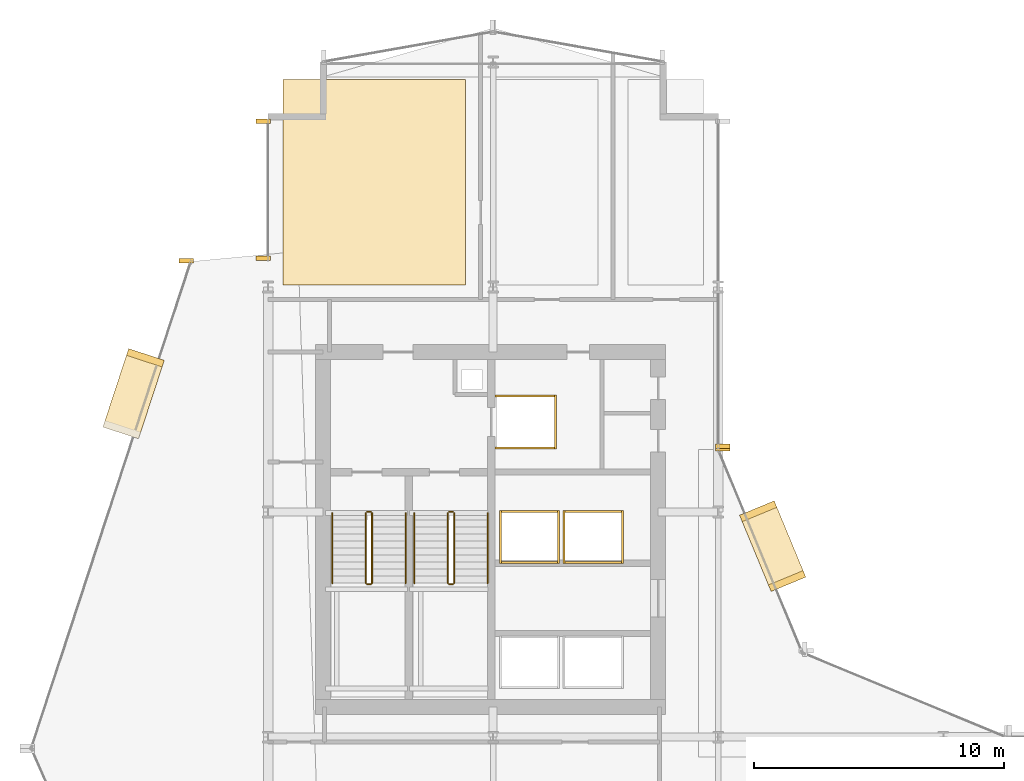
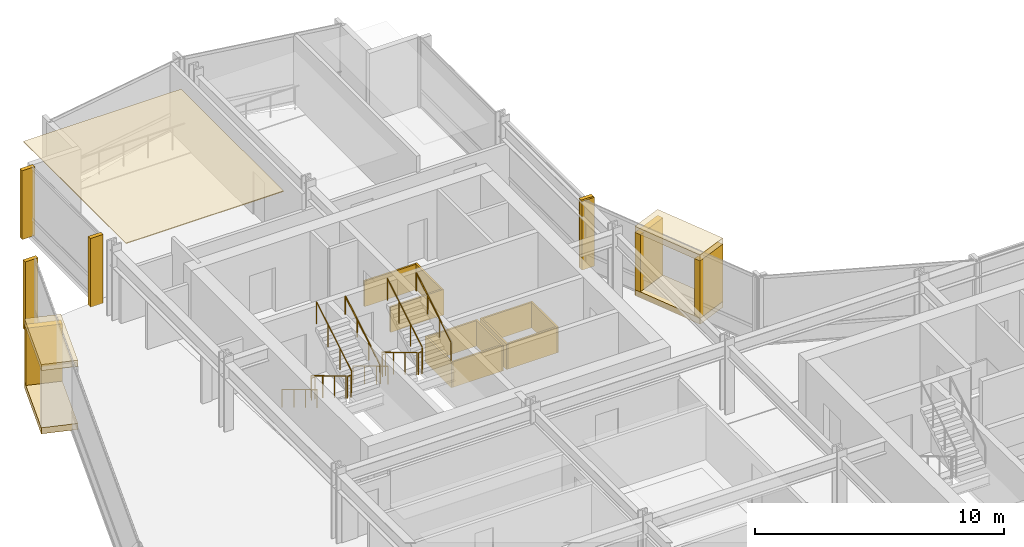
# One storey, part 33 of 34: 24 coverings, 12 railings.
"""IFC4 building model written with IfcOpenShell, lengths in metres."""

from ifc_helpers import new_model, si_unit, direction, frame, origin, origin_2d, place, context, subcontext, project, spatial, polyline, rectangle, circle, outline, extrude, material, layer, layer_set, type_object, element, save


model = new_model("IFC4")

# Units and contexts
model_context = context("Model", 3, precision=1e-05, world=origin(), true_north=direction((0.0, 1.0)))
body_context = subcontext(model_context, "Body", "Model", "MODEL_VIEW")
ifc_project = project(units=[si_unit("LENGTHUNIT", "METRE"), si_unit("AREAUNIT", "SQUARE_METRE"), si_unit("VOLUMEUNIT", "CUBIC_METRE"), si_unit("PLANEANGLEUNIT", "RADIAN"), si_unit("MASSUNIT", "GRAM", prefix="KILO")], contexts=[model_context])

# Site, building, storey
site_placement = place(None, origin())
site = spatial("IfcSite", under=ifc_project, at=site_placement, CompositionType="ELEMENT")
building_placement = place(site_placement, origin())
building = spatial("IfcBuilding", under=site, at=building_placement, Name="Solvaryn Broadcast Tower", CompositionType="ELEMENT")
storey_placement = place(building_placement, frame((0.0, 0.0, 96.5)))
storey = spatial("IfcBuildingStorey", under=building, at=storey_placement, Name="L23", CompositionType="ELEMENT", Elevation=96.5)

# Coverings
ifc_material_1 = material(Name="Micro-Perforated Acoustic Gypsum Ceiling", Category="concrete")
ifc_layer_1 = layer(ifc_material_1, 0.0400390625)
ifc_layer_set_1 = layer_set([ifc_layer_1], Name="CV-CEIL-ACOUSTIC")
covering_type_1 = type_object("IfcCoveringType", Name="CV-CEIL-ACOUSTIC", PredefinedType="CEILING", material=ifc_layer_set_1)
covering_1_placement = place(storey_placement, frame((0.0, 0.0, 3.330078125)))
element("IfcCovering", 1, at=covering_1_placement, inside=storey, type_object=covering_type_1, Name="L23 Room Acoustic Ceiling 7", PredefinedType="CEILING", context=body_context, shape_type="SweptSolid", body=[
    extrude(outline(polyline([(9.60009765625, 45.070068359375), (16.89990234375, 45.070068359375), (16.89990234375, 53.300048828125), (9.60009765625, 53.300048828125), (9.60009765625, 45.070068359375)])), origin(), (0.0, 0.0, 1.0), 0.0400390625),
])
ifc_material_2 = material(Name="Fire-Rated Gypsum Shaftwall Liner", Category="concrete")
ifc_layer_2 = layer(ifc_material_2, 0.080078125)
ifc_layer_set_2 = layer_set([ifc_layer_2], Name="CV-SHAFT-LINER")
covering_type_2 = type_object("IfcCoveringType", Name="CV-SHAFT-LINER", PredefinedType="CLADDING", material=ifc_layer_set_2)
for number, where, z_axis, x_axis, name in (
    (2, (19.300048828125, 40.639892578125, 0.0), (0.0, 0.0, 1.0), (1.0, 0.0, 0.0), "L23 FL1 Hoistway Shaft Liner North"),
    (3, (19.300048828125, 38.56005859375, 0.0), (0.0, 0.0, 1.0), (1.0, 0.0, 0.0), "L23 FL1 Hoistway Shaft Liner South"),
):
    element("IfcCovering", number, at=place(storey_placement, frame(where, z_axis=z_axis, x_axis=x_axis)), inside=storey, type_object=covering_type_2, Name=name, PredefinedType="CLADDING", context=body_context, shape_type="SweptSolid", body=[
        extrude(rectangle(XDim=2.4599609375, YDim=0.080078125, at=origin_2d()), origin(), (0.0, 0.0, 1.0), 1.25),
    ])
covering_2_placement = place(storey_placement, frame((20.489990234375, 39.60009765625, 0.0), z_axis=(0.0, 0.0, 1.0), x_axis=(1.0, 0.0, 0.0)))
element("IfcCovering", 4, at=covering_2_placement, inside=storey, type_object=covering_type_2, Name="L23 FL1 Hoistway Shaft Liner East", PredefinedType="CLADDING", context=body_context, shape_type="SweptSolid", body=[
    extrude(rectangle(XDim=0.080078125, YDim=2.159912109375, at=origin_2d()), origin(), (0.0, 0.0, 1.0), 1.25),
])
for number, where, z_axis, x_axis, name in (
    (5, (19.449951171875, 36.014892578125, 0.0), (0.0, 0.0, 1.0), (1.0, 0.0, 0.0), "L23 PH3 Hoistway Shaft Liner North"),
    (6, (19.449951171875, 33.985107421875, 0.0), (0.0, 0.0, 1.0), (1.0, 0.0, 0.0), "L23 PH3 Hoistway Shaft Liner South"),
):
    element("IfcCovering", number, at=place(storey_placement, frame(where, z_axis=z_axis, x_axis=x_axis)), inside=storey, type_object=covering_type_2, Name=name, PredefinedType="CLADDING", context=body_context, shape_type="SweptSolid", body=[
        extrude(rectangle(XDim=2.409912109375, YDim=0.080078125, at=origin_2d()), origin(), (0.0, 0.0, 1.0), 1.25),
    ])
for number, where, z_axis, x_axis, name in (
    (7, (20.614990234375, 35.0, 0.0), (0.0, 0.0, 1.0), (1.0, 0.0, 0.0), "L23 PH3 Hoistway Shaft Liner East"),
    (8, (18.284912109375, 35.0, 0.0), (0.0, 0.0, 1.0), (1.0, 0.0, 0.0), "L23 PH3 Hoistway Shaft Liner West"),
):
    element("IfcCovering", number, at=place(storey_placement, frame(where, z_axis=z_axis, x_axis=x_axis)), inside=storey, type_object=covering_type_2, Name=name, PredefinedType="CLADDING", context=body_context, shape_type="SweptSolid", body=[
        extrude(rectangle(XDim=0.080078125, YDim=2.110107421875, at=origin_2d()), origin(), (0.0, 0.0, 1.0), 1.25),
    ])
for number, where, z_axis, x_axis, name in (
    (9, (22.0, 36.014892578125, 0.0), (0.0, 0.0, 1.0), (1.0, 0.0, 0.0), "L23 PH4 Hoistway Shaft Liner North"),
    (10, (22.0, 33.985107421875, 0.0), (0.0, 0.0, 1.0), (1.0, 0.0, 0.0), "L23 PH4 Hoistway Shaft Liner South"),
):
    element("IfcCovering", number, at=place(storey_placement, frame(where, z_axis=z_axis, x_axis=x_axis)), inside=storey, type_object=covering_type_2, Name=name, PredefinedType="CLADDING", context=body_context, shape_type="SweptSolid", body=[
        extrude(rectangle(XDim=2.409912109375, YDim=0.080078125, at=origin_2d()), origin(), (0.0, 0.0, 1.0), 1.25),
    ])
for number, where, z_axis, x_axis, name in (
    (11, (23.1650390625, 35.0, 0.0), (0.0, 0.0, 1.0), (1.0, 0.0, 0.0), "L23 PH4 Hoistway Shaft Liner East"),
    (12, (20.8349609375, 35.0, 0.0), (0.0, 0.0, 1.0), (1.0, 0.0, 0.0), "L23 PH4 Hoistway Shaft Liner West"),
):
    element("IfcCovering", number, at=place(storey_placement, frame(where, z_axis=z_axis, x_axis=x_axis)), inside=storey, type_object=covering_type_2, Name=name, PredefinedType="CLADDING", context=body_context, shape_type="SweptSolid", body=[
        extrude(rectangle(XDim=0.080078125, YDim=2.110107421875, at=origin_2d()), origin(), (0.0, 0.0, 1.0), 1.25),
    ])
ifc_material_3 = material(Name="Glazed Architectural Terracotta Rainscreen Cladding", Category="masonry")
ifc_layer_3 = layer(ifc_material_3, 0.280029296875)
ifc_layer_set_3 = layer_set([ifc_layer_3], Name="CV-TC-CLAD")
covering_type_3 = type_object("IfcCoveringType", Name="CV-TC-CLAD", PredefinedType="CLADDING", material=ifc_layer_set_3)
for number, where, z_axis, x_axis, name in (
    (13, (3.6259765625, 40.73291015625, 3.080078125), (0.0, 0.0, 1.0), (-0.311671636848, -0.950189870912, 0.0), "L23 Projecting Stone Window Box Hood 1"),
    (14, (3.6259765625, 40.73291015625, -0.01025390625), (0.0, 0.0, 1.0), (-0.311671636848, -0.950189870912, 0.0), "L23 Projecting Stone Window Box Sill 1"),
):
    element("IfcCovering", number, at=place(storey_placement, frame(where, z_axis=z_axis, x_axis=x_axis)), inside=storey, type_object=covering_type_3, Name=name, PredefinedType="CLADDING", context=body_context, shape_type="SweptSolid", body=[
        extrude(rectangle(XDim=3.300048828125, YDim=1.5, at=origin_2d()), origin(), (0.0, 0.0, 1.0), 0.300048828125),
    ])
covering_3_placement = place(storey_placement, frame((4.0966796875, 42.167724609375, 0.280029296875), z_axis=(0.0, 0.0, 1.0), x_axis=(-0.311671636848, -0.950189870912, 0.0)))
element("IfcCovering", 15, at=covering_3_placement, inside=storey, type_object=covering_type_3, Name="L23 Projecting Stone Window Box Cheek 1-1", PredefinedType="CLADDING", context=body_context, shape_type="SweptSolid", body=[
    extrude(rectangle(XDim=0.280029296875, YDim=1.5, at=origin_2d()), origin(), (0.0, 0.0, 1.0), 2.81005859375),
])
for number, where, z_axis, x_axis, name in (
    (16, (29.174072265625, 34.636962890625, 3.080078125), (0.0, 0.0, 1.0), (-0.382683432365, 0.923879532511, 0.0), "L23 Projecting Stone Window Box Hood 5"),
    (17, (29.174072265625, 34.636962890625, -0.01025390625), (0.0, 0.0, 1.0), (-0.382683432365, 0.923879532511, 0.0), "L23 Projecting Stone Window Box Sill 5"),
):
    element("IfcCovering", number, at=place(storey_placement, frame(where, z_axis=z_axis, x_axis=x_axis)), inside=storey, type_object=covering_type_3, Name=name, PredefinedType="CLADDING", context=body_context, shape_type="SweptSolid", body=[
        extrude(rectangle(XDim=3.300048828125, YDim=1.5, at=origin_2d()), origin(), (0.0, 0.0, 1.0), 0.300048828125),
    ])
for number, where, z_axis, x_axis, name in (
    (18, (29.751953125, 33.241943359375, 0.280029296875), (0.0, 0.0, 1.0), (-0.382683432365, 0.923879532511, 0.0), "L23 Projecting Stone Window Box Cheek 5-1"),
    (19, (28.59619140625, 36.031982421875, 0.280029296875), (0.0, 0.0, 1.0), (-0.382683432365, 0.923879532511, 0.0), "L23 Projecting Stone Window Box Cheek 5-2"),
):
    element("IfcCovering", number, at=place(storey_placement, frame(where, z_axis=z_axis, x_axis=x_axis)), inside=storey, type_object=covering_type_3, Name=name, PredefinedType="CLADDING", context=body_context, shape_type="SweptSolid", body=[
        extrude(rectangle(XDim=0.280029296875, YDim=1.5, at=origin_2d()), origin(), (0.0, 0.0, 1.0), 2.81005859375),
    ])
ifc_material_4 = material(Name="Extruded Architectural Terracotta Fin", Category="masonry")
ifc_layer_4 = layer(ifc_material_4, 0.179931640625)
ifc_layer_set_4 = layer_set([ifc_layer_4], Name="CV-TC-FIN")
covering_type_4 = type_object("IfcCoveringType", Name="CV-TC-FIN", PredefinedType="USERDEFINED", material=ifc_layer_set_4)
for number, where, z_axis, x_axis, name in (
    (20, (5.735595703125, 46.043701171875, 0.0), (0.0, 0.0, 1.0), (1.0, 0.0, 0.0), "L23 Terracotta Vertical Fin FIN-L23-DR1-M00"),
    (21, (8.8125, 46.14599609375, 0.0), (0.0, 0.0, 1.0), (1.0, 0.0, 0.0), "L23 Terracotta Vertical Fin FIN-L23-W2-M00"),
    (22, (8.8125, 51.6201171875, 0.0), (0.0, 0.0, 1.0), (1.0, 0.0, 0.0), "L23 Terracotta Vertical Fin FIN-L23-W2-M01"),
    (23, (27.1875, 38.6298828125, 0.0), (0.0, 0.0, 1.0), (1.0, 0.0, 0.0), "L23 Terracotta Vertical Fin FIN-L23-IV-M01"),
    (24, (27.177978515625, 38.541259765625, 0.0), (0.0, 0.0, 1.0), (1.0, 0.0, 0.0), "L23 Terracotta Vertical Fin FIN-L23-CN2-M01"),
):
    element("IfcCovering", number, at=place(storey_placement, frame(where, z_axis=z_axis, x_axis=x_axis)), inside=storey, type_object=covering_type_4, Name=name, ObjectType="FIN", PredefinedType="USERDEFINED", context=body_context, shape_type="SweptSolid", body=[
        extrude(rectangle(XDim=0.580078125, YDim=0.179931640625, at=origin_2d()), origin(), (0.0, 0.0, 1.0), 3.3701171875),
    ])

# Railings
ifc_material_5 = material(Name="Painted Steel Stair Well Guard", Category="steel")
railing_type_1 = type_object("IfcRailingType", Name="RL-STAIR-GUARD", PredefinedType="BALUSTRADE", material=ifc_material_5)
railing_1_placement = place(storey_placement, frame((12.909912109375, 35.9599609375, 0.168212890625)))
element("IfcRailing", 25, at=railing_1_placement, inside=storey, type_object=railing_type_1, Name="L23 ST1 stair guard 1", PredefinedType="BALUSTRADE", context=body_context, shape_type="SweptSolid", body=[
    extrude(circle(Radius=0.02392578125, at=origin_2d()), frame((0.0, 0.0, 1.076171875), z_axis=(0.0, -0.857242210791, 0.514913383045), x_axis=(1.0, 0.0, 0.0)), (0.0, 0.0, 1.0), 3.266357421875),
    extrude(circle(Radius=0.02099609375, at=origin_2d()), origin(), (0.0, 0.0, 1.0), 1.052001953125),
    extrude(circle(Radius=0.02099609375, at=origin_2d()), frame((0.0, -0.933349609375, 0.560546875)), (0.0, 0.0, 1.0), 1.052001953125),
    extrude(circle(Radius=0.02099609375, at=origin_2d()), frame((0.0, -1.86669921875, 1.121337890625)), (0.0, 0.0, 1.0), 1.052001953125),
    extrude(circle(Radius=0.02099609375, at=origin_2d()), frame((0.0, -2.800048828125, 1.681884765625)), (0.0, 0.0, 1.0), 1.052001953125),
])
railing_2_placement = place(storey_placement, frame((12.9599609375, 33.110107421875, 1.85009765625)))
element("IfcRailing", 26, at=railing_2_placement, inside=storey, type_object=railing_type_1, Name="L23 ST1 stair guard 2", PredefinedType="BALUSTRADE", context=body_context, shape_type="SweptSolid", body=[
    extrude(circle(Radius=0.02392578125, at=origin_2d()), frame((0.0, 0.0, 1.076171875), z_axis=(1.0, 0.0, 0.0), x_axis=(0.0, 1.0, 0.0)), (0.0, 0.0, 1.0), 0.150146484375),
    extrude(circle(Radius=0.02099609375, at=origin_2d()), origin(), (0.0, 0.0, 1.0), 1.052001953125),
    extrude(circle(Radius=0.02099609375, at=origin_2d()), frame((0.150146484375, 0.0, 0.0)), (0.0, 0.0, 1.0), 1.052001953125),
])
railing_3_placement = place(storey_placement, frame((13.159912109375, 33.159912109375, 2.01806640625)))
element("IfcRailing", 27, at=railing_3_placement, inside=storey, type_object=railing_type_1, Name="L23 ST1 stair guard 3", PredefinedType="BALUSTRADE", context=body_context, shape_type="SweptSolid", body=[
    extrude(circle(Radius=0.02392578125, at=origin_2d()), frame((0.0, 0.0, 1.076171875), z_axis=(0.0, 0.857242210791, 0.514913383045), x_axis=(-1.0, 0.0, 0.0)), (0.0, 0.0, 1.0), 3.266357421875),
    extrude(circle(Radius=0.02099609375, at=origin_2d()), origin(), (0.0, 0.0, 1.0), 1.052001953125),
    extrude(circle(Radius=0.02099609375, at=origin_2d()), frame((0.0, 0.933349609375, 0.560546875)), (0.0, 0.0, 1.0), 1.052001953125),
    extrude(circle(Radius=0.02099609375, at=origin_2d()), frame((0.0, 1.86669921875, 1.121337890625)), (0.0, 0.0, 1.0), 1.052001953125),
    extrude(circle(Radius=0.02099609375, at=origin_2d()), frame((0.0, 2.800048828125, 1.681884765625)), (0.0, 0.0, 1.0), 1.052001953125),
])
railing_4_placement = place(storey_placement, frame((12.9599609375, 36.010009765625, 0.0)))
element("IfcRailing", 28, at=railing_4_placement, inside=storey, type_object=railing_type_1, Name="L23 ST1 stair guard 4", PredefinedType="BALUSTRADE", context=body_context, shape_type="SweptSolid", body=[
    extrude(circle(Radius=0.02392578125, at=origin_2d()), frame((0.0, 0.0, 1.076171875), z_axis=(1.0, 0.0, 0.0), x_axis=(0.0, 1.0, 0.0)), (0.0, 0.0, 1.0), 0.150146484375),
    extrude(circle(Radius=0.02099609375, at=origin_2d()), origin(), (0.0, 0.0, 1.0), 1.052001953125),
    extrude(circle(Radius=0.02099609375, at=origin_2d()), frame((0.150146484375, 0.0, 0.0)), (0.0, 0.0, 1.0), 1.052001953125),
])
railing_5_placement = place(storey_placement, frame((16.18994140625, 35.9599609375, 0.168212890625)))
element("IfcRailing", 29, at=railing_5_placement, inside=storey, type_object=railing_type_1, Name="L23 ST2 stair guard 1", PredefinedType="BALUSTRADE", context=body_context, shape_type="SweptSolid", body=[
    extrude(circle(Radius=0.02392578125, at=origin_2d()), frame((0.0, 0.0, 1.076171875), z_axis=(0.0, -0.857242210791, 0.514913383045), x_axis=(1.0, 0.0, 0.0)), (0.0, 0.0, 1.0), 3.266357421875),
    extrude(circle(Radius=0.02099609375, at=origin_2d()), origin(), (0.0, 0.0, 1.0), 1.052001953125),
    extrude(circle(Radius=0.02099609375, at=origin_2d()), frame((0.0, -0.933349609375, 0.560546875)), (0.0, 0.0, 1.0), 1.052001953125),
    extrude(circle(Radius=0.02099609375, at=origin_2d()), frame((0.0, -1.86669921875, 1.121337890625)), (0.0, 0.0, 1.0), 1.052001953125),
    extrude(circle(Radius=0.02099609375, at=origin_2d()), frame((0.0, -2.800048828125, 1.681884765625)), (0.0, 0.0, 1.0), 1.052001953125),
])
railing_6_placement = place(storey_placement, frame((16.239990234375, 33.110107421875, 1.85009765625)))
element("IfcRailing", 30, at=railing_6_placement, inside=storey, type_object=railing_type_1, Name="L23 ST2 stair guard 2", PredefinedType="BALUSTRADE", context=body_context, shape_type="SweptSolid", body=[
    extrude(circle(Radius=0.02392578125, at=origin_2d()), frame((0.0, 0.0, 1.076171875), z_axis=(1.0, 0.0, 0.0), x_axis=(0.0, 1.0, 0.0)), (0.0, 0.0, 1.0), 0.14990234375),
    extrude(circle(Radius=0.02099609375, at=origin_2d()), origin(), (0.0, 0.0, 1.0), 1.052001953125),
    extrude(circle(Radius=0.02099609375, at=origin_2d()), frame((0.14990234375, 0.0, 0.0)), (0.0, 0.0, 1.0), 1.052001953125),
])
railing_7_placement = place(storey_placement, frame((16.43994140625, 33.159912109375, 2.01806640625)))
element("IfcRailing", 31, at=railing_7_placement, inside=storey, type_object=railing_type_1, Name="L23 ST2 stair guard 3", PredefinedType="BALUSTRADE", context=body_context, shape_type="SweptSolid", body=[
    extrude(circle(Radius=0.02392578125, at=origin_2d()), frame((0.0, 0.0, 1.076171875), z_axis=(0.0, 0.857242210791, 0.514913383045), x_axis=(-1.0, 0.0, 0.0)), (0.0, 0.0, 1.0), 3.266357421875),
    extrude(circle(Radius=0.02099609375, at=origin_2d()), origin(), (0.0, 0.0, 1.0), 1.052001953125),
    extrude(circle(Radius=0.02099609375, at=origin_2d()), frame((0.0, 0.933349609375, 0.560546875)), (0.0, 0.0, 1.0), 1.052001953125),
    extrude(circle(Radius=0.02099609375, at=origin_2d()), frame((0.0, 1.86669921875, 1.121337890625)), (0.0, 0.0, 1.0), 1.052001953125),
    extrude(circle(Radius=0.02099609375, at=origin_2d()), frame((0.0, 2.800048828125, 1.681884765625)), (0.0, 0.0, 1.0), 1.052001953125),
])
railing_8_placement = place(storey_placement, frame((16.239990234375, 36.010009765625, 0.0)))
element("IfcRailing", 32, at=railing_8_placement, inside=storey, type_object=railing_type_1, Name="L23 ST2 stair guard 4", PredefinedType="BALUSTRADE", context=body_context, shape_type="SweptSolid", body=[
    extrude(circle(Radius=0.02392578125, at=origin_2d()), frame((0.0, 0.0, 1.076171875), z_axis=(1.0, 0.0, 0.0), x_axis=(0.0, 1.0, 0.0)), (0.0, 0.0, 1.0), 0.14990234375),
    extrude(circle(Radius=0.02099609375, at=origin_2d()), origin(), (0.0, 0.0, 1.0), 1.052001953125),
    extrude(circle(Radius=0.02099609375, at=origin_2d()), frame((0.14990234375, 0.0, 0.0)), (0.0, 0.0, 1.0), 1.052001953125),
])
ifc_material_6 = material(Name="Brushed Stainless Steel Tubular Handrail", Category="steel")
railing_type_2 = type_object("IfcRailingType", Name="RL-STAIR-HANDRAIL", PredefinedType="HANDRAIL", material=ifc_material_6)
railing_9_placement = place(storey_placement, frame((11.570068359375, 35.9599609375, 0.168212890625)))
element("IfcRailing", 33, at=railing_9_placement, inside=storey, type_object=railing_type_2, Name="L23 ST1 stair handrail 1", PredefinedType="HANDRAIL", context=body_context, shape_type="SweptSolid", body=[
    extrude(circle(Radius=0.02392578125, at=origin_2d()), frame((0.0, 0.0, 0.8759765625), z_axis=(0.0, -0.857242210791, 0.514913383045), x_axis=(1.0, 0.0, 0.0)), (0.0, 0.0, 1.0), 3.266357421875),
    extrude(circle(Radius=0.02099609375, at=origin_2d()), origin(), (0.0, 0.0, 1.0), 0.851806640625),
    extrude(circle(Radius=0.02099609375, at=origin_2d()), frame((0.0, -0.933349609375, 0.560546875)), (0.0, 0.0, 1.0), 0.851806640625),
    extrude(circle(Radius=0.02099609375, at=origin_2d()), frame((0.0, -1.86669921875, 1.121337890625)), (0.0, 0.0, 1.0), 0.851806640625),
    extrude(circle(Radius=0.02099609375, at=origin_2d()), frame((0.0, -2.800048828125, 1.681884765625)), (0.0, 0.0, 1.0), 0.851806640625),
])
railing_10_placement = place(storey_placement, frame((14.5, 33.159912109375, 2.01806640625)))
element("IfcRailing", 34, at=railing_10_placement, inside=storey, type_object=railing_type_2, Name="L23 ST1 stair handrail 2", PredefinedType="HANDRAIL", context=body_context, shape_type="SweptSolid", body=[
    extrude(circle(Radius=0.02392578125, at=origin_2d()), frame((0.0, 0.0, 0.8759765625), z_axis=(0.0, 0.857242210791, 0.514913383045), x_axis=(-1.0, 0.0, 0.0)), (0.0, 0.0, 1.0), 3.266357421875),
    extrude(circle(Radius=0.02099609375, at=origin_2d()), origin(), (0.0, 0.0, 1.0), 0.851806640625),
    extrude(circle(Radius=0.02099609375, at=origin_2d()), frame((0.0, 0.933349609375, 0.560546875)), (0.0, 0.0, 1.0), 0.851806640625),
    extrude(circle(Radius=0.02099609375, at=origin_2d()), frame((0.0, 1.86669921875, 1.121337890625)), (0.0, 0.0, 1.0), 0.851806640625),
    extrude(circle(Radius=0.02099609375, at=origin_2d()), frame((0.0, 2.800048828125, 1.681884765625)), (0.0, 0.0, 1.0), 0.851806640625),
])
railing_11_placement = place(storey_placement, frame((14.85009765625, 35.9599609375, 0.168212890625)))
element("IfcRailing", 35, at=railing_11_placement, inside=storey, type_object=railing_type_2, Name="L23 ST2 stair handrail 1", PredefinedType="HANDRAIL", context=body_context, shape_type="SweptSolid", body=[
    extrude(circle(Radius=0.02392578125, at=origin_2d()), frame((0.0, 0.0, 0.8759765625), z_axis=(0.0, -0.857242210791, 0.514913383045), x_axis=(1.0, 0.0, 0.0)), (0.0, 0.0, 1.0), 3.266357421875),
    extrude(circle(Radius=0.02099609375, at=origin_2d()), origin(), (0.0, 0.0, 1.0), 0.851806640625),
    extrude(circle(Radius=0.02099609375, at=origin_2d()), frame((0.0, -0.933349609375, 0.560546875)), (0.0, 0.0, 1.0), 0.851806640625),
    extrude(circle(Radius=0.02099609375, at=origin_2d()), frame((0.0, -1.86669921875, 1.121337890625)), (0.0, 0.0, 1.0), 0.851806640625),
    extrude(circle(Radius=0.02099609375, at=origin_2d()), frame((0.0, -2.800048828125, 1.681884765625)), (0.0, 0.0, 1.0), 0.851806640625),
])
railing_12_placement = place(storey_placement, frame((17.780029296875, 33.159912109375, 2.01806640625)))
element("IfcRailing", 36, at=railing_12_placement, inside=storey, type_object=railing_type_2, Name="L23 ST2 stair handrail 2", PredefinedType="HANDRAIL", context=body_context, shape_type="SweptSolid", body=[
    extrude(circle(Radius=0.02392578125, at=origin_2d()), frame((0.0, 0.0, 0.8759765625), z_axis=(0.0, 0.857242210791, 0.514913383045), x_axis=(-1.0, 0.0, 0.0)), (0.0, 0.0, 1.0), 3.266357421875),
    extrude(circle(Radius=0.02099609375, at=origin_2d()), origin(), (0.0, 0.0, 1.0), 0.851806640625),
    extrude(circle(Radius=0.02099609375, at=origin_2d()), frame((0.0, 0.933349609375, 0.560546875)), (0.0, 0.0, 1.0), 0.851806640625),
    extrude(circle(Radius=0.02099609375, at=origin_2d()), frame((0.0, 1.86669921875, 1.121337890625)), (0.0, 0.0, 1.0), 0.851806640625),
    extrude(circle(Radius=0.02099609375, at=origin_2d()), frame((0.0, 2.800048828125, 1.681884765625)), (0.0, 0.0, 1.0), 0.851806640625),
])

save(model, "model.ifc")
